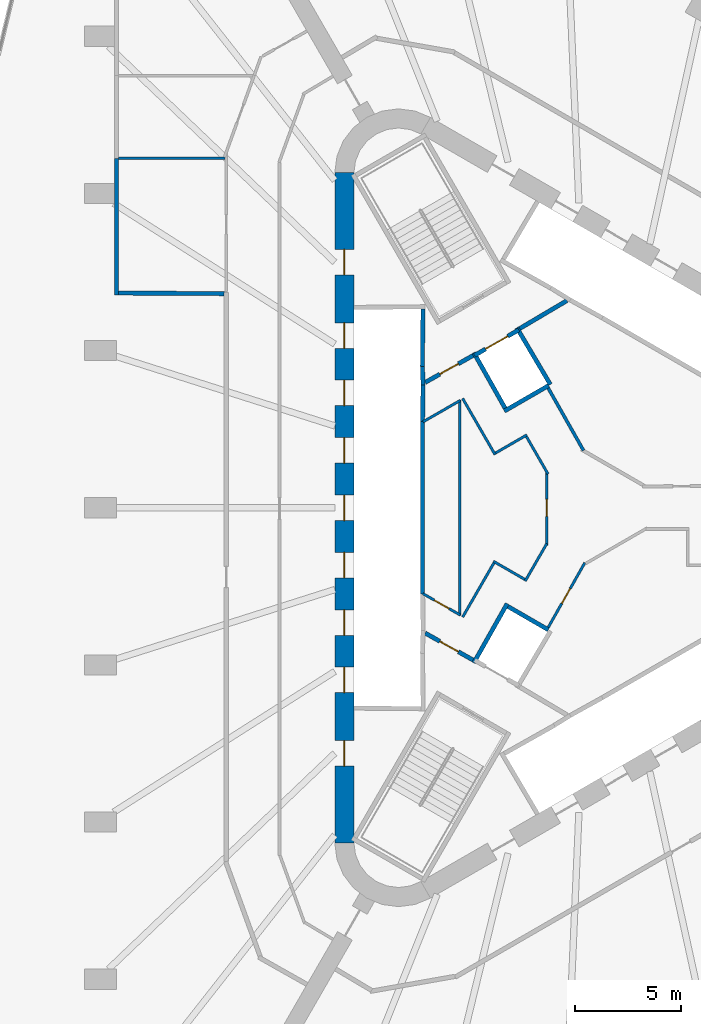
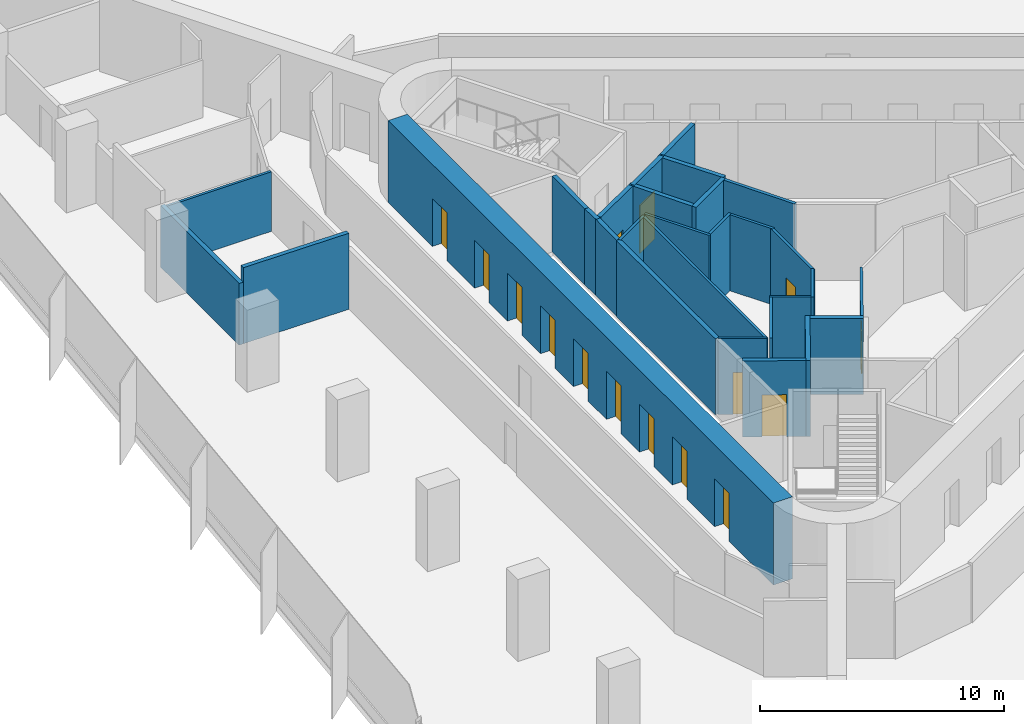
# One storey, part 10 of 14: 29 walls, 15 doors, 15 openings.
"""IFC4 building model written with IfcOpenShell, lengths in metres."""

from ifc_helpers import new_model, si_unit, direction, frame, frame_2d, origin, place, context, subcontext, project, spatial, rectangle, extrude, material, layer, layer_set, type_object, element, fill, save


model = new_model("IFC4")

# Units and contexts
model_context = context("Model", 3, precision=1e-05, world=origin(), true_north=direction((0.0, 1.0)))
body_context = subcontext(model_context, "Body", "Model", "MODEL_VIEW")
ifc_project = project(units=[si_unit("LENGTHUNIT", "METRE"), si_unit("AREAUNIT", "SQUARE_METRE"), si_unit("VOLUMEUNIT", "CUBIC_METRE"), si_unit("PLANEANGLEUNIT", "RADIAN"), si_unit("MASSUNIT", "GRAM", prefix="KILO")], contexts=[model_context])

# Site, building, storey
site_placement = place(None, origin())
site = spatial("IfcSite", under=ifc_project, at=site_placement, CompositionType="ELEMENT")
building_placement = place(site_placement, origin())
building = spatial("IfcBuilding", under=site, at=building_placement, Name="Tanit Gate Tower", CompositionType="ELEMENT")
storey_placement = place(building_placement, frame((0.0, 0.0, 82.39990234375)))
storey = spatial("IfcBuildingStorey", under=building, at=storey_placement, Name="L16", CompositionType="ELEMENT", Elevation=82.39990234375)

# Wall, openings, doors
ifc_material_1 = material(Name="Concrete C60/75", Category="concrete")
ifc_layer_1 = layer(ifc_material_1, 0.89990234375)
ifc_layer_set_1 = layer_set([ifc_layer_1], Name="CORE WALL 900 C60/75")
wall_type_1 = type_object("IfcWallType", Name="CORE WALL 900 C60/75", PredefinedType="SHEAR", material=ifc_layer_set_1)
wall_1_placement = place(storey_placement, frame((-11.64990234375, 15.76171875, 0.0), z_axis=(0.0, 0.0, 1.0), x_axis=(0.0, -1.0, 0.0)))
wall_1 = element("IfcWall", 1, at=wall_1_placement, inside=storey, type_object=wall_type_1, Name="CORE WALL", PredefinedType="SHEAR", context=body_context, shape_type="SweptSolid", body=[
    extrude(rectangle(XDim=31.5234375, YDim=0.89990234375, at=frame_2d((15.76171875, 0.0))), origin(), (0.0, 0.0, 1.0), 4.10009765625),
])
opening_1_placement = place(wall_1_placement, frame((7.061767578125, 0.0, 0.0)))
opening_1 = element("IfcOpeningElement", 2, at=opening_1_placement, cuts=wall_1, Name="Opening LDLL1-S03", PredefinedType="OPENING", context=body_context, shape_type="SweptSolid", body=[
    extrude(rectangle(XDim=1.199951171875, YDim=2.39990234375, at=frame_2d((0.60009765625, 1.199951171875))), frame((0.0, 0.4599609375, 0.0), z_axis=(0.0, -1.0, 0.0), x_axis=(1.0, 0.0, 0.0)), (0.0, 0.0, 1.0), 0.919921875),
])
opening_2_placement = place(wall_1_placement, frame((9.76171875, 0.0, 0.0)))
opening_2 = element("IfcOpeningElement", 3, at=opening_2_placement, cuts=wall_1, Name="Opening LDLL2-S03", PredefinedType="OPENING", context=body_context, shape_type="SweptSolid", body=[
    extrude(rectangle(XDim=1.199951171875, YDim=2.39990234375, at=frame_2d((0.60009765625, 1.199951171875))), frame((0.0, 0.4599609375, 0.0), z_axis=(0.0, -1.0, 0.0), x_axis=(1.0, 0.0, 0.0)), (0.0, 0.0, 1.0), 0.919921875),
])
opening_3_placement = place(wall_1_placement, frame((12.461669921875, 0.0, 0.0)))
opening_3 = element("IfcOpeningElement", 4, at=opening_3_placement, cuts=wall_1, Name="Opening LDLL3-S03", PredefinedType="OPENING", context=body_context, shape_type="SweptSolid", body=[
    extrude(rectangle(XDim=1.199951171875, YDim=2.39990234375, at=frame_2d((0.60009765625, 1.199951171875))), frame((0.0, 0.4599609375, 0.0), z_axis=(0.0, -1.0, 0.0), x_axis=(1.0, 0.0, 0.0)), (0.0, 0.0, 1.0), 0.919921875),
])
opening_4_placement = place(wall_1_placement, frame((15.16162109375, 0.0, 0.0)))
opening_4 = element("IfcOpeningElement", 5, at=opening_4_placement, cuts=wall_1, Name="Opening LDLL4-S03", PredefinedType="OPENING", context=body_context, shape_type="SweptSolid", body=[
    extrude(rectangle(XDim=1.199951171875, YDim=2.39990234375, at=frame_2d((0.60009765625, 1.199951171875))), frame((0.0, 0.4599609375, 0.0), z_axis=(0.0, -1.0, 0.0), x_axis=(1.0, 0.0, 0.0)), (0.0, 0.0, 1.0), 0.919921875),
])
opening_5_placement = place(wall_1_placement, frame((17.86181640625, 0.0, 0.0)))
opening_5 = element("IfcOpeningElement", 6, at=opening_5_placement, cuts=wall_1, Name="Opening LDLL5-S03", PredefinedType="OPENING", context=body_context, shape_type="SweptSolid", body=[
    extrude(rectangle(XDim=1.199951171875, YDim=2.39990234375, at=frame_2d((0.60009765625, 1.199951171875))), frame((0.0, 0.4599609375, 0.0), z_axis=(0.0, -1.0, 0.0), x_axis=(1.0, 0.0, 0.0)), (0.0, 0.0, 1.0), 0.919921875),
])
opening_6_placement = place(wall_1_placement, frame((20.561767578125, 0.0, 0.0)))
opening_6 = element("IfcOpeningElement", 7, at=opening_6_placement, cuts=wall_1, Name="Opening LDLL6-S03", PredefinedType="OPENING", context=body_context, shape_type="SweptSolid", body=[
    extrude(rectangle(XDim=1.199951171875, YDim=2.39990234375, at=frame_2d((0.60009765625, 1.199951171875))), frame((0.0, 0.4599609375, 0.0), z_axis=(0.0, -1.0, 0.0), x_axis=(1.0, 0.0, 0.0)), (0.0, 0.0, 1.0), 0.919921875),
])
opening_7_placement = place(wall_1_placement, frame((23.26171875, 0.0, 0.0)))
opening_7 = element("IfcOpeningElement", 8, at=opening_7_placement, cuts=wall_1, Name="Opening LDLL7-S03", PredefinedType="OPENING", context=body_context, shape_type="SweptSolid", body=[
    extrude(rectangle(XDim=1.199951171875, YDim=2.39990234375, at=frame_2d((0.60009765625, 1.199951171875))), frame((0.0, 0.4599609375, 0.0), z_axis=(0.0, -1.0, 0.0), x_axis=(1.0, 0.0, 0.0)), (0.0, 0.0, 1.0), 0.919921875),
])
opening_8_placement = place(wall_1_placement, frame((3.61181640625, 0.0, 0.0)))
opening_8 = element("IfcOpeningElement", 9, at=opening_8_placement, cuts=wall_1, Name="Opening F12-S03-FL2", PredefinedType="OPENING", context=body_context, shape_type="SweptSolid", body=[
    extrude(rectangle(XDim=1.199951171875, YDim=2.39990234375, at=frame_2d((0.60009765625, 1.199951171875))), frame((0.0, 0.4599609375, 0.0), z_axis=(0.0, -1.0, 0.0), x_axis=(1.0, 0.0, 0.0)), (0.0, 0.0, 1.0), 0.919921875),
])
opening_9_placement = place(wall_1_placement, frame((26.711669921875, 0.0, 0.0)))
opening_9 = element("IfcOpeningElement", 10, at=opening_9_placement, cuts=wall_1, Name="Opening F12-S03-S3", PredefinedType="OPENING", context=body_context, shape_type="SweptSolid", body=[
    extrude(rectangle(XDim=1.199951171875, YDim=2.39990234375, at=frame_2d((0.60009765625, 1.199951171875))), frame((0.0, 0.4599609375, 0.0), z_axis=(0.0, -1.0, 0.0), x_axis=(1.0, 0.0, 0.0)), (0.0, 0.0, 1.0), 0.919921875),
])
ifc_material_2 = material(Name="Fire-rated steel door leaf", Category="steel")
door_type_1 = type_object("IfcDoorType", Name="INT-DOOR-FIRE-LOBBY-1200", OperationType="NOTDEFINED", PredefinedType="USERDEFINED", material=ifc_material_2)
door_1_placement = place(opening_8_placement, origin())
door_1 = element("IfcDoor", 11, at=door_1_placement, inside=storey, type_object=door_type_1, Name="Door F12-S03-FL2", ObjectType="FIRE DOOR", OperationType="SINGLE_SWING_LEFT", OverallHeight=2.39990234375, OverallWidth=1.199951171875, PredefinedType="USERDEFINED", context=body_context, shape_type="SweptSolid", body=[
    extrude(rectangle(XDim=1.199951171875, YDim=2.39990234375, at=frame_2d((0.60009765625, 1.199951171875))), frame((0.0, 0.02490234375, 0.0), z_axis=(0.0, -1.0, 0.0), x_axis=(1.0, 0.0, 0.0)), (0.0, 0.0, 1.0), 0.050048828125),
])
fill(opening_8, door_1)
door_2_placement = place(opening_9_placement, origin())
door_2 = element("IfcDoor", 12, at=door_2_placement, inside=storey, type_object=door_type_1, Name="Door F12-S03-S3", ObjectType="FIRE DOOR", OperationType="SINGLE_SWING_RIGHT", OverallHeight=2.39990234375, OverallWidth=1.199951171875, PredefinedType="USERDEFINED", context=body_context, shape_type="SweptSolid", body=[
    extrude(rectangle(XDim=1.199951171875, YDim=2.39990234375, at=frame_2d((0.60009765625, 1.199951171875))), frame((0.0, 0.02490234375, 0.0), z_axis=(0.0, -1.0, 0.0), x_axis=(1.0, 0.0, 0.0)), (0.0, 0.0, 1.0), 0.050048828125),
])
fill(opening_9, door_2)
ifc_material_3 = material(Name="Stainless steel sliding door leaf", Category="steel")
door_type_2 = type_object("IfcDoorType", Name="INT-DOOR-LANDING-1200", OperationType="NOTDEFINED", PredefinedType="USERDEFINED", material=ifc_material_3)
door_3_placement = place(opening_1_placement, origin())
door_3 = element("IfcDoor", 13, at=door_3_placement, inside=storey, type_object=door_type_2, Name="Door LDLL1-S03", ObjectType="LANDING DOOR", OperationType="SLIDING_TO_LEFT", OverallHeight=2.39990234375, OverallWidth=1.199951171875, PredefinedType="USERDEFINED", context=body_context, shape_type="SweptSolid", body=[
    extrude(rectangle(XDim=1.199951171875, YDim=2.39990234375, at=frame_2d((0.60009765625, 1.199951171875))), frame((0.0, 0.02490234375, 0.0), z_axis=(0.0, -1.0, 0.0), x_axis=(1.0, 0.0, 0.0)), (0.0, 0.0, 1.0), 0.050048828125),
])
fill(opening_1, door_3)
door_4_placement = place(opening_2_placement, origin())
door_4 = element("IfcDoor", 14, at=door_4_placement, inside=storey, type_object=door_type_2, Name="Door LDLL2-S03", ObjectType="LANDING DOOR", OperationType="SLIDING_TO_LEFT", OverallHeight=2.39990234375, OverallWidth=1.199951171875, PredefinedType="USERDEFINED", context=body_context, shape_type="SweptSolid", body=[
    extrude(rectangle(XDim=1.199951171875, YDim=2.39990234375, at=frame_2d((0.60009765625, 1.199951171875))), frame((0.0, 0.02490234375, 0.0), z_axis=(0.0, -1.0, 0.0), x_axis=(1.0, 0.0, 0.0)), (0.0, 0.0, 1.0), 0.050048828125),
])
fill(opening_2, door_4)
door_5_placement = place(opening_3_placement, origin())
door_5 = element("IfcDoor", 15, at=door_5_placement, inside=storey, type_object=door_type_2, Name="Door LDLL3-S03", ObjectType="LANDING DOOR", OperationType="SLIDING_TO_LEFT", OverallHeight=2.39990234375, OverallWidth=1.199951171875, PredefinedType="USERDEFINED", context=body_context, shape_type="SweptSolid", body=[
    extrude(rectangle(XDim=1.199951171875, YDim=2.39990234375, at=frame_2d((0.60009765625, 1.199951171875))), frame((0.0, 0.02490234375, 0.0), z_axis=(0.0, -1.0, 0.0), x_axis=(1.0, 0.0, 0.0)), (0.0, 0.0, 1.0), 0.050048828125),
])
fill(opening_3, door_5)
door_6_placement = place(opening_4_placement, origin())
door_6 = element("IfcDoor", 16, at=door_6_placement, inside=storey, type_object=door_type_2, Name="Door LDLL4-S03", ObjectType="LANDING DOOR", OperationType="SLIDING_TO_LEFT", OverallHeight=2.39990234375, OverallWidth=1.199951171875, PredefinedType="USERDEFINED", context=body_context, shape_type="SweptSolid", body=[
    extrude(rectangle(XDim=1.199951171875, YDim=2.39990234375, at=frame_2d((0.60009765625, 1.199951171875))), frame((0.0, 0.02490234375, 0.0), z_axis=(0.0, -1.0, 0.0), x_axis=(1.0, 0.0, 0.0)), (0.0, 0.0, 1.0), 0.050048828125),
])
fill(opening_4, door_6)
door_7_placement = place(opening_5_placement, origin())
door_7 = element("IfcDoor", 17, at=door_7_placement, inside=storey, type_object=door_type_2, Name="Door LDLL5-S03", ObjectType="LANDING DOOR", OperationType="SLIDING_TO_LEFT", OverallHeight=2.39990234375, OverallWidth=1.199951171875, PredefinedType="USERDEFINED", context=body_context, shape_type="SweptSolid", body=[
    extrude(rectangle(XDim=1.199951171875, YDim=2.39990234375, at=frame_2d((0.60009765625, 1.199951171875))), frame((0.0, 0.02490234375, 0.0), z_axis=(0.0, -1.0, 0.0), x_axis=(1.0, 0.0, 0.0)), (0.0, 0.0, 1.0), 0.050048828125),
])
fill(opening_5, door_7)
door_8_placement = place(opening_6_placement, origin())
door_8 = element("IfcDoor", 18, at=door_8_placement, inside=storey, type_object=door_type_2, Name="Door LDLL6-S03", ObjectType="LANDING DOOR", OperationType="SLIDING_TO_LEFT", OverallHeight=2.39990234375, OverallWidth=1.199951171875, PredefinedType="USERDEFINED", context=body_context, shape_type="SweptSolid", body=[
    extrude(rectangle(XDim=1.199951171875, YDim=2.39990234375, at=frame_2d((0.60009765625, 1.199951171875))), frame((0.0, 0.02490234375, 0.0), z_axis=(0.0, -1.0, 0.0), x_axis=(1.0, 0.0, 0.0)), (0.0, 0.0, 1.0), 0.050048828125),
])
fill(opening_6, door_8)
door_9_placement = place(opening_7_placement, origin())
door_9 = element("IfcDoor", 19, at=door_9_placement, inside=storey, type_object=door_type_2, Name="Door LDLL7-S03", ObjectType="LANDING DOOR", OperationType="SLIDING_TO_LEFT", OverallHeight=2.39990234375, OverallWidth=1.199951171875, PredefinedType="USERDEFINED", context=body_context, shape_type="SweptSolid", body=[
    extrude(rectangle(XDim=1.199951171875, YDim=2.39990234375, at=frame_2d((0.60009765625, 1.199951171875))), frame((0.0, 0.02490234375, 0.0), z_axis=(0.0, -1.0, 0.0), x_axis=(1.0, 0.0, 0.0)), (0.0, 0.0, 1.0), 0.050048828125),
])
fill(opening_7, door_9)

# Wall
ifc_material_4 = material(Name="Fire-rated gypsum board partition")
ifc_layer_2 = layer(ifc_material_4, 0.199951171875)
ifc_layer_set_2 = layer_set([ifc_layer_2], Name="INT-WALL-COMPARTMENT")
wall_type_2 = type_object("IfcWallType", Name="INT-WALL-COMPARTMENT", PredefinedType="PARTITIONING", material=ifc_layer_set_2)
wall_2_placement = place(storey_placement, frame((-1.1796875, 9.744384765625, 0.0), z_axis=(0.0, 0.0, 1.0), x_axis=(-0.860615607571, -0.509255118781, 0.0)))
element("IfcWall", 20, at=wall_2_placement, inside=storey, type_object=wall_type_2, Name="Wall Compartment W061", PredefinedType="PARTITIONING", context=body_context, shape_type="SweptSolid", body=[
    extrude(rectangle(XDim=2.58056640625, YDim=0.199951171875, at=frame_2d((1.290283203125, 0.0))), origin(), (0.0, 0.0, 1.0), 3.800048828125),
])

# Wall, opening, door
wall_3_placement = place(storey_placement, frame((-5.600341796875, 7.16015625, 0.0), z_axis=(0.0, 0.0, 1.0), x_axis=(-0.871363259478, -0.490638431059, 0.0)))
wall_3 = element("IfcWall", 21, at=wall_3_placement, inside=storey, type_object=wall_type_2, Name="Wall Compartment W062", PredefinedType="PARTITIONING", context=body_context, shape_type="SweptSolid", body=[
    extrude(rectangle(XDim=2.5810546875, YDim=0.199951171875, at=frame_2d((1.29052734375, 0.0))), origin(), (0.0, 0.0, 1.0), 3.800048828125),
])
opening_10_placement = place(wall_3_placement, frame((0.79052734375, 0.0, 0.0)))
opening_10 = element("IfcOpeningElement", 22, at=opening_10_placement, cuts=wall_3, Name="Opening F10-S03-05", PredefinedType="OPENING", context=body_context, shape_type="SweptSolid", body=[
    extrude(rectangle(XDim=1.0, YDim=2.10009765625, at=frame_2d((0.5, 1.050048828125))), frame((0.0, 0.10986328125, 0.0), z_axis=(0.0, -1.0, 0.0), x_axis=(1.0, 0.0, 0.0)), (0.0, 0.0, 1.0), 0.219970703125),
])
ifc_material_5 = material(Name="Fire-rated steel door leaf", Category="steel")
door_type_3 = type_object("IfcDoorType", Name="INT-DOOR-FIRE-1000", OperationType="NOTDEFINED", PredefinedType="USERDEFINED", material=ifc_material_5)
door_10_placement = place(opening_10_placement, origin())
door_10 = element("IfcDoor", 23, at=door_10_placement, inside=storey, type_object=door_type_3, Name="Door F10-S03-05", ObjectType="FIRE DOOR", OperationType="SINGLE_SWING_LEFT", OverallHeight=2.10009765625, OverallWidth=1.0, PredefinedType="USERDEFINED", context=body_context, shape_type="SweptSolid", body=[
    extrude(rectangle(XDim=1.0, YDim=2.10009765625, at=frame_2d((0.5, 1.050048828125))), frame((0.0, 0.02490234375, 0.0), z_axis=(0.0, -1.0, 0.0), x_axis=(1.0, 0.0, 0.0)), (0.0, 0.0, 1.0), 0.050048828125),
])
fill(opening_10, door_10)

wall_4_placement = place(storey_placement, frame((-7.849365234375, -5.893798828125, 0.0), z_axis=(0.0, 0.0, 1.0), x_axis=(0.871363259478, -0.490638431059, 0.0)))
wall_4 = element("IfcWall", 24, at=wall_4_placement, inside=storey, type_object=wall_type_2, Name="Wall Compartment W064", PredefinedType="PARTITIONING", context=body_context, shape_type="SweptSolid", body=[
    extrude(rectangle(XDim=2.5810546875, YDim=0.199951171875, at=frame_2d((1.29052734375, 0.0))), origin(), (0.0, 0.0, 1.0), 3.800048828125),
])
opening_11_placement = place(wall_4_placement, frame((0.79052734375, 0.0, 0.0)))
opening_11 = element("IfcOpeningElement", 25, at=opening_11_placement, cuts=wall_4, Name="Opening F10-S03-08", PredefinedType="OPENING", context=body_context, shape_type="SweptSolid", body=[
    extrude(rectangle(XDim=1.0, YDim=2.10009765625, at=frame_2d((0.5, 1.050048828125))), frame((0.0, 0.10986328125, 0.0), z_axis=(0.0, -1.0, 0.0), x_axis=(1.0, 0.0, 0.0)), (0.0, 0.0, 1.0), 0.219970703125),
])
door_11_placement = place(opening_11_placement, origin())
door_11 = element("IfcDoor", 26, at=door_11_placement, inside=storey, type_object=door_type_3, Name="Door F10-S03-08", ObjectType="FIRE DOOR", OperationType="SINGLE_SWING_RIGHT", OverallHeight=2.10009765625, OverallWidth=1.0, PredefinedType="USERDEFINED", context=body_context, shape_type="SweptSolid", body=[
    extrude(rectangle(XDim=1.0, YDim=2.10009765625, at=frame_2d((0.5, 1.050048828125))), frame((0.0, 0.02490234375, 0.0), z_axis=(0.0, -1.0, 0.0), x_axis=(1.0, 0.0, 0.0)), (0.0, 0.0, 1.0), 0.050048828125),
])
fill(opening_11, door_11)

# Walls
wall_5_placement = place(storey_placement, frame((-22.3701171875, 10.0, 0.0), z_axis=(0.0, 0.0, 1.0), x_axis=(0.0, 1.0, 0.0)))
element("IfcWall", 27, at=wall_5_placement, inside=storey, type_object=wall_type_2, Name="Wall Compartment W111", PredefinedType="PARTITIONING", context=body_context, shape_type="SweptSolid", body=[
    extrude(rectangle(XDim=6.431396484375, YDim=0.199951171875, at=frame_2d((3.2158203125, 0.0))), origin(), (0.0, 0.0, 1.0), 3.080078125),
])
wall_6_placement = place(storey_placement, frame((-17.300048828125, 10.070556640625, 0.0), z_axis=(0.0, 0.0, 1.0), x_axis=(-0.999983200532, 0.005796434527, 0.0)))
element("IfcWall", 28, at=wall_6_placement, inside=storey, type_object=wall_type_2, Name="Wall Compartment W112", PredefinedType="PARTITIONING", context=body_context, shape_type="SweptSolid", body=[
    extrude(rectangle(XDim=4.969970703125, YDim=0.199951171875, at=frame_2d((2.48486328125, 0.0))), origin(), (0.0, 0.0, 1.0), 3.800048828125),
])

# Wall, opening, door
ifc_material_6 = material(Name="Gypsum board partition")
ifc_layer_3 = layer(ifc_material_6, 0.1201171875)
ifc_layer_set_3 = layer_set([ifc_layer_3], Name="INT-WALL-PARTITION")
wall_type_3 = type_object("IfcWallType", Name="INT-WALL-PARTITION", PredefinedType="PARTITIONING", material=ifc_layer_set_3)
wall_7_placement = place(storey_placement, frame((-0.339599609375, -2.58642578125, 0.0), z_axis=(0.0, 0.0, 1.0), x_axis=(-0.492647196214, -0.870229130782, 0.0)))
wall_7 = element("IfcWall", 29, at=wall_7_placement, inside=storey, type_object=wall_type_3, Name="Wall Partition W068", PredefinedType="PARTITIONING", context=body_context, shape_type="SweptSolid", body=[
    extrude(rectangle(XDim=3.490234375, YDim=0.1201171875, at=frame_2d((1.7451171875, 0.0))), origin(), (0.0, 0.0, 1.0), 3.800048828125),
])
opening_12_placement = place(wall_7_placement, frame((1.396240234375, 0.0, 0.0)))
opening_12 = element("IfcOpeningElement", 30, at=opening_12_placement, cuts=wall_7, Name="Opening R08-S03-11", PredefinedType="OPENING", context=body_context, shape_type="SweptSolid", body=[
    extrude(rectangle(XDim=0.800048828125, YDim=2.10009765625, at=frame_2d((0.39990234375, 1.050048828125))), frame((0.0, 0.070068359375, 0.0), z_axis=(0.0, -1.0, 0.0), x_axis=(1.0, 0.0, 0.0)), (0.0, 0.0, 1.0), 0.14013671875),
])
ifc_material_7 = material(Name="Timber door leaf", Category="wood")
door_type_4 = type_object("IfcDoorType", Name="INT-DOOR-RISER-800", OperationType="NOTDEFINED", PredefinedType="USERDEFINED", material=ifc_material_7)
door_12_placement = place(opening_12_placement, origin())
door_12 = element("IfcDoor", 31, at=door_12_placement, inside=storey, type_object=door_type_4, Name="Door R08-S03-11", ObjectType="FIRE DOOR", OperationType="SINGLE_SWING_LEFT", OverallHeight=2.10009765625, OverallWidth=0.800048828125, PredefinedType="USERDEFINED", context=body_context, shape_type="SweptSolid", body=[
    extrude(rectangle(XDim=0.800048828125, YDim=2.10009765625, at=frame_2d((0.39990234375, 1.050048828125))), frame((0.0, 0.02490234375, 0.0), z_axis=(0.0, -1.0, 0.0), x_axis=(1.0, 0.0, 0.0)), (0.0, 0.0, 1.0), 0.050048828125),
])
fill(opening_12, door_12)

# Wall
wall_8_placement = place(storey_placement, frame((-6.2314453125, 5.0625, 0.0), z_axis=(0.0, 0.0, 1.0), x_axis=(0.0, -1.0, 0.0)))
element("IfcWall", 32, at=wall_8_placement, inside=storey, type_object=wall_type_3, Name="Wall Partition W074", PredefinedType="PARTITIONING", context=body_context, shape_type="SweptSolid", body=[
    extrude(rectangle(XDim=10.125, YDim=0.1201171875, at=frame_2d((5.0625, 0.0))), origin(), (0.0, 0.0, 1.0), 3.800048828125),
])

# Wall, opening, door
wall_9_placement = place(storey_placement, frame((-7.949951171875, -4.041015625, 0.0), z_axis=(0.0, 0.0, 1.0), x_axis=(0.867071050325, -0.498184497639, 0.0)))
wall_9 = element("IfcWall", 33, at=wall_9_placement, inside=storey, type_object=wall_type_3, Name="Wall Partition W075", PredefinedType="PARTITIONING", context=body_context, shape_type="SweptSolid", body=[
    extrude(rectangle(XDim=2.0166015625, YDim=0.1201171875, at=frame_2d((1.00830078125, 0.0))), origin(), (0.0, 0.0, 1.0), 3.800048828125),
])
opening_13_placement = place(wall_9_placement, frame((0.6083984375, 0.0, 0.0)))
opening_13 = element("IfcOpeningElement", 34, at=opening_13_placement, cuts=wall_9, Name="Opening R08-S03-12", PredefinedType="OPENING", context=body_context, shape_type="SweptSolid", body=[
    extrude(rectangle(XDim=0.800048828125, YDim=2.10009765625, at=frame_2d((0.39990234375, 1.050048828125))), frame((0.0, 0.070068359375, 0.0), z_axis=(0.0, -1.0, 0.0), x_axis=(1.0, 0.0, 0.0)), (0.0, 0.0, 1.0), 0.14013671875),
])
door_13_placement = place(opening_13_placement, origin())
door_13 = element("IfcDoor", 35, at=door_13_placement, inside=storey, type_object=door_type_4, Name="Door R08-S03-12", ObjectType="FIRE DOOR", OperationType="SINGLE_SWING_RIGHT", OverallHeight=2.10009765625, OverallWidth=0.800048828125, PredefinedType="USERDEFINED", context=body_context, shape_type="SweptSolid", body=[
    extrude(rectangle(XDim=0.800048828125, YDim=2.10009765625, at=frame_2d((0.39990234375, 1.050048828125))), frame((0.0, 0.02490234375, 0.0), z_axis=(0.0, -1.0, 0.0), x_axis=(1.0, 0.0, 0.0)), (0.0, 0.0, 1.0), 0.050048828125),
])
fill(opening_13, door_13)

# Walls
wall_10_placement = place(storey_placement, frame((-6.201416015625, 5.045654296875, 0.0), z_axis=(0.0, 0.0, 1.0), x_axis=(-0.867071050325, -0.498184497639, 0.0)))
element("IfcWall", 36, at=wall_10_placement, inside=storey, type_object=wall_type_3, Name="Wall Partition W076", PredefinedType="PARTITIONING", context=body_context, shape_type="SweptSolid", body=[
    extrude(rectangle(XDim=2.0166015625, YDim=0.1201171875, at=frame_2d((1.00830078125, 0.0))), origin(), (0.0, 0.0, 1.0), 3.800048828125),
])
wall_11_placement = place(storey_placement, frame((-4.558349609375, 2.4951171875, 0.0), z_axis=(0.0, 0.0, 1.0), x_axis=(-0.499991792115, 0.866030142557, 0.0)))
element("IfcWall", 37, at=wall_11_placement, inside=storey, type_object=wall_type_3, Name="Wall Partition W077", PredefinedType="PARTITIONING", context=body_context, shape_type="SweptSolid", body=[
    extrude(rectangle(XDim=3.06005859375, YDim=0.1201171875, at=frame_2d((1.530029296875, 0.0))), origin(), (0.0, 0.0, 1.0), 3.800048828125),
])
wall_12_placement = place(storey_placement, frame((-3.06396484375, 3.427001953125, 0.0), z_axis=(0.0, 0.0, 1.0), x_axis=(-0.866087547558, -0.499892348375, 0.0)))
element("IfcWall", 38, at=wall_12_placement, inside=storey, type_object=wall_type_3, Name="Wall Partition W078", PredefinedType="PARTITIONING", context=body_context, shape_type="SweptSolid", body=[
    extrude(rectangle(XDim=1.699951171875, YDim=0.1201171875, at=frame_2d((0.85009765625, 0.0))), origin(), (0.0, 0.0, 1.0), 3.800048828125),
])
wall_13_placement = place(storey_placement, frame((-2.06982421875, 1.5849609375, 0.0), z_axis=(0.0, 0.0, 1.0), x_axis=(-0.499937346687, 0.86606157367, 0.0)))
element("IfcWall", 39, at=wall_13_placement, inside=storey, type_object=wall_type_3, Name="Wall Partition W079", PredefinedType="PARTITIONING", context=body_context, shape_type="SweptSolid", body=[
    extrude(rectangle(XDim=2.032470703125, YDim=0.1201171875, at=frame_2d((1.01611328125, 0.0))), origin(), (0.0, 0.0, 1.0), 3.800048828125),
])

# Wall, opening, door
wall_14_placement = place(storey_placement, frame((-2.121826171875, -1.77880859375, 0.0), z_axis=(0.0, 0.0, 1.0), x_axis=(0.0, 1.0, 0.0)))
wall_14 = element("IfcWall", 40, at=wall_14_placement, inside=storey, type_object=wall_type_3, Name="Wall Partition W080", PredefinedType="PARTITIONING", context=body_context, shape_type="SweptSolid", body=[
    extrude(rectangle(XDim=3.435302734375, YDim=0.1201171875, at=frame_2d((1.7177734375, 0.0))), origin(), (0.0, 0.0, 1.0), 3.800048828125),
])
opening_14_placement = place(wall_14_placement, frame((1.36962890625, 0.0, 0.0)))
opening_14 = element("IfcOpeningElement", 41, at=opening_14_placement, cuts=wall_14, Name="Opening R08-S03-13", PredefinedType="OPENING", context=body_context, shape_type="SweptSolid", body=[
    extrude(rectangle(XDim=0.800048828125, YDim=2.10009765625, at=frame_2d((0.39990234375, 1.050048828125))), frame((0.0, 0.070068359375, 0.0), z_axis=(0.0, -1.0, 0.0), x_axis=(1.0, 0.0, 0.0)), (0.0, 0.0, 1.0), 0.14013671875),
])
door_14_placement = place(opening_14_placement, origin())
door_14 = element("IfcDoor", 42, at=door_14_placement, inside=storey, type_object=door_type_4, Name="Door R08-S03-13", ObjectType="FIRE DOOR", OperationType="SINGLE_SWING_LEFT", OverallHeight=2.10009765625, OverallWidth=0.800048828125, PredefinedType="USERDEFINED", context=body_context, shape_type="SweptSolid", body=[
    extrude(rectangle(XDim=0.800048828125, YDim=2.10009765625, at=frame_2d((0.39990234375, 1.050048828125))), frame((0.0, 0.02490234375, 0.0), z_axis=(0.0, -1.0, 0.0), x_axis=(1.0, 0.0, 0.0)), (0.0, 0.0, 1.0), 0.050048828125),
])
fill(opening_14, door_14)

# Walls
wall_15_placement = place(storey_placement, frame((-3.14599609375, -3.448974609375, 0.0), z_axis=(0.0, 0.0, 1.0), x_axis=(0.500007041985, 0.866021338054, 0.0)))
element("IfcWall", 43, at=wall_15_placement, inside=storey, type_object=wall_type_3, Name="Wall Partition W081", PredefinedType="PARTITIONING", context=body_context, shape_type="SweptSolid", body=[
    extrude(rectangle(XDim=2.02978515625, YDim=0.1201171875, at=frame_2d((1.014892578125, 0.0))), origin(), (0.0, 0.0, 1.0), 3.800048828125),
])
wall_16_placement = place(storey_placement, frame((-4.64013671875, -2.51708984375, 0.0), z_axis=(0.0, 0.0, 1.0), x_axis=(0.865989465428, -0.500062241894, 0.0)))
element("IfcWall", 44, at=wall_16_placement, inside=storey, type_object=wall_type_3, Name="Wall Partition W082", PredefinedType="PARTITIONING", context=body_context, shape_type="SweptSolid", body=[
    extrude(rectangle(XDim=1.699951171875, YDim=0.1201171875, at=frame_2d((0.85009765625, 0.0))), origin(), (0.0, 0.0, 1.0), 3.800048828125),
])
wall_17_placement = place(storey_placement, frame((-6.08837890625, -5.145263671875, 0.0), z_axis=(0.0, 0.0, 1.0), x_axis=(0.500050696077, 0.865996132412, 0.0)))
element("IfcWall", 45, at=wall_17_placement, inside=storey, type_object=wall_type_3, Name="Wall Partition W083", PredefinedType="PARTITIONING", context=body_context, shape_type="SweptSolid", body=[
    extrude(rectangle(XDim=2.940185546875, YDim=0.1201171875, at=frame_2d((1.47021484375, 0.0))), origin(), (0.0, 0.0, 1.0), 3.800048828125),
])
wall_18_placement = place(storey_placement, frame((-17.260009765625, 16.431396484375, 0.0), z_axis=(0.0, 0.0, 1.0), x_axis=(-1.0, 0.0, 0.0)))
element("IfcWall", 46, at=wall_18_placement, inside=storey, type_object=wall_type_3, Name="Wall Partition W120", PredefinedType="PARTITIONING", context=body_context, shape_type="SweptSolid", body=[
    extrude(rectangle(XDim=5.010009765625, YDim=0.1201171875, at=frame_2d((2.5048828125, 0.0))), origin(), (0.0, 0.0, 1.0), 2.97998046875),
])
ifc_material_8 = material(Name="Fire-rated gypsum board partition")
ifc_layer_4 = layer(ifc_material_8, 0.14990234375)
ifc_layer_set_4 = layer_set([ifc_layer_4], Name="INT-WALL-RISER")
wall_type_4 = type_object("IfcWallType", Name="INT-WALL-RISER", PredefinedType="PLUMBINGWALL", material=ifc_layer_set_4)
wall_19_placement = place(storey_placement, frame((-2.05908203125, 5.623779296875, 0.0), z_axis=(0.0, 0.0, 1.0), x_axis=(0.49265005812, -0.870227510617, 0.0)))
element("IfcWall", 47, at=wall_19_placement, inside=storey, type_object=wall_type_4, Name="Wall Riser W067", PredefinedType="PLUMBINGWALL", context=body_context, shape_type="SweptSolid", body=[
    extrude(rectangle(XDim=3.364990234375, YDim=0.14990234375, at=frame_2d((1.6826171875, 0.0))), origin(), (0.0, 0.0, 1.0), 3.800048828125),
])
ifc_material_9 = material(Name="Gypsum shaft wall system")
ifc_layer_5 = layer(ifc_material_9, 0.199951171875)
ifc_layer_set_5 = layer_set([ifc_layer_5], Name="INT-WALL-SHAFT")
wall_type_5 = type_object("IfcWallType", Name="INT-WALL-SHAFT", PredefinedType="PLUMBINGWALL", material=ifc_layer_set_5)
wall_20_placement = place(storey_placement, frame((-7.951171875, 9.35009765625, 0.0), z_axis=(0.0, 0.0, 1.0), x_axis=(-0.011120469654, -0.999938165666, 0.0)))
element("IfcWall", 48, at=wall_20_placement, inside=storey, type_object=wall_type_5, Name="Wall Shaft W002", PredefinedType="PLUMBINGWALL", context=body_context, shape_type="SweptSolid", body=[
    extrude(rectangle(XDim=2.700439453125, YDim=0.199951171875, at=frame_2d((1.35009765625, 0.0))), origin(), (0.0, 0.0, 1.0), 3.800048828125),
])
wall_21_placement = place(storey_placement, frame((-7.97705078125, 6.650146484375, 0.0), z_axis=(0.0, 0.0, 1.0), x_axis=(0.030861509705, -0.999523670164, 0.0)))
element("IfcWall", 49, at=wall_21_placement, inside=storey, type_object=wall_type_5, Name="Wall Shaft W004", PredefinedType="PLUMBINGWALL", context=body_context, shape_type="SweptSolid", body=[
    extrude(rectangle(XDim=0.878173828125, YDim=0.199951171875, at=frame_2d((0.43896484375, 0.0))), origin(), (0.0, 0.0, 1.0), 3.800048828125),
])
wall_22_placement = place(storey_placement, frame((-7.94921875, 5.894775390625, 0.0), z_axis=(0.0, 0.0, 1.0), x_axis=(-0.012042535896, -0.999927486035, 0.0)))
element("IfcWall", 50, at=wall_22_placement, inside=storey, type_object=wall_type_5, Name="Wall Shaft W005", PredefinedType="PLUMBINGWALL", context=body_context, shape_type="SweptSolid", body=[
    extrude(rectangle(XDim=1.844970703125, YDim=0.199951171875, at=frame_2d((0.92236328125, 0.0))), origin(), (0.0, 0.0, 1.0), 3.800048828125),
])
wall_23_placement = place(storey_placement, frame((-7.97998046875, 4.050048828125, 0.0), z_axis=(0.0, 0.0, 1.0), x_axis=(0.0, -1.0, 0.0)))
element("IfcWall", 51, at=wall_23_placement, inside=storey, type_object=wall_type_5, Name="Wall Shaft W006", PredefinedType="PLUMBINGWALL", context=body_context, shape_type="SweptSolid", body=[
    extrude(rectangle(XDim=8.10009765625, YDim=0.199951171875, at=frame_2d((4.050048828125, 0.0))), origin(), (0.0, 0.0, 1.0), 3.800048828125),
])

# Wall, opening, door
wall_24_placement = place(storey_placement, frame((-5.524169921875, 7.168212890625, 0.0), z_axis=(0.0, 0.0, 1.0), x_axis=(0.866024647952, 0.500001309137, 0.0)))
wall_24 = element("IfcWall", 52, at=wall_24_placement, inside=storey, type_object=wall_type_5, Name="Wall Shaft W045", PredefinedType="PLUMBINGWALL", context=body_context, shape_type="SweptSolid", body=[
    extrude(rectangle(XDim=2.39990234375, YDim=0.199951171875, at=frame_2d((1.199951171875, 0.0))), origin(), (0.0, 0.0, 1.0), 3.800048828125),
])
opening_15_placement = place(wall_24_placement, frame((0.60009765625, 0.0, 0.0)))
opening_15 = element("IfcOpeningElement", 53, at=opening_15_placement, cuts=wall_24, Name="Opening LDFL2-L16", PredefinedType="OPENING", context=body_context, shape_type="SweptSolid", body=[
    extrude(rectangle(XDim=1.199951171875, YDim=2.39990234375, at=frame_2d((0.60009765625, 1.199951171875))), frame((0.0, 0.10986328125, 0.0), z_axis=(0.0, -1.0, 0.0), x_axis=(1.0, 0.0, 0.0)), (0.0, 0.0, 1.0), 0.219970703125),
])
door_15_placement = place(opening_15_placement, origin())
door_15 = element("IfcDoor", 54, at=door_15_placement, inside=storey, type_object=door_type_2, Name="Door LDFL2-L16", ObjectType="LANDING DOOR", OperationType="SLIDING_TO_LEFT", OverallHeight=2.39990234375, OverallWidth=1.199951171875, PredefinedType="USERDEFINED", context=body_context, shape_type="SweptSolid", body=[
    extrude(rectangle(XDim=1.199951171875, YDim=2.39990234375, at=frame_2d((0.60009765625, 1.199951171875))), frame((0.0, 0.02490234375, 0.0), z_axis=(0.0, -1.0, 0.0), x_axis=(1.0, 0.0, 0.0)), (0.0, 0.0, 1.0), 0.050048828125),
])
fill(opening_15, door_15)

# Walls
wall_25_placement = place(storey_placement, frame((-3.53759765625, 8.46533203125, 0.0), z_axis=(0.0, 0.0, 1.0), x_axis=(0.508647062354, -0.860975125052, 0.0)))
element("IfcWall", 55, at=wall_25_placement, inside=storey, type_object=wall_type_5, Name="Wall Shaft W046", PredefinedType="PLUMBINGWALL", context=body_context, shape_type="SweptSolid", body=[
    extrude(rectangle(XDim=3.10009765625, YDim=0.199951171875, at=frame_2d((1.550048828125, 0.0))), origin(), (0.0, 0.0, 1.0), 3.800048828125),
])
wall_26_placement = place(storey_placement, frame((-2.04345703125, 5.748291015625, 0.0), z_axis=(0.0, 0.0, 1.0), x_axis=(-0.866035096217, -0.499983211839, 0.0)))
element("IfcWall", 56, at=wall_26_placement, inside=storey, type_object=wall_type_5, Name="Wall Shaft W047", PredefinedType="PLUMBINGWALL", context=body_context, shape_type="SweptSolid", body=[
    extrude(rectangle(XDim=2.404296875, YDim=0.199951171875, at=frame_2d((1.2021484375, 0.0))), origin(), (0.0, 0.0, 1.0), 3.800048828125),
])
wall_27_placement = place(storey_placement, frame((-5.5625, 7.29638671875, 0.0), z_axis=(0.0, 0.0, 1.0), x_axis=(0.49134651263, -0.870964180966, 0.0)))
element("IfcWall", 57, at=wall_27_placement, inside=storey, type_object=wall_type_5, Name="Wall Shaft W048", PredefinedType="PLUMBINGWALL", context=body_context, shape_type="SweptSolid", body=[
    extrude(rectangle(XDim=3.000244140625, YDim=0.199951171875, at=frame_2d((1.5, 0.0))), origin(), (0.0, 0.0, 1.0), 3.800048828125),
])
wall_28_placement = place(storey_placement, frame((-3.989990234375, -4.509033203125, 0.0), z_axis=(0.0, 0.0, 1.0), x_axis=(-0.491358283181, -0.870957540612, 0.0)))
element("IfcWall", 58, at=wall_28_placement, inside=storey, type_object=wall_type_5, Name="Wall Shaft W055", PredefinedType="PLUMBINGWALL", context=body_context, shape_type="SweptSolid", body=[
    extrude(rectangle(XDim=3.200439453125, YDim=0.199951171875, at=frame_2d((1.60009765625, 0.0))), origin(), (0.0, 0.0, 1.0), 3.800048828125),
])
wall_29_placement = place(storey_placement, frame((-3.95263671875, -4.646240234375, 0.0), z_axis=(0.0, 0.0, 1.0), x_axis=(0.866038900241, -0.499976622722, 0.0)))
element("IfcWall", 59, at=wall_29_placement, inside=storey, type_object=wall_type_5, Name="Wall Shaft W056", PredefinedType="PLUMBINGWALL", context=body_context, shape_type="SweptSolid", body=[
    extrude(rectangle(XDim=2.189453125, YDim=0.199951171875, at=frame_2d((1.0947265625, 0.0))), origin(), (0.0, 0.0, 1.0), 3.800048828125),
])

save(model, "model.ifc")
